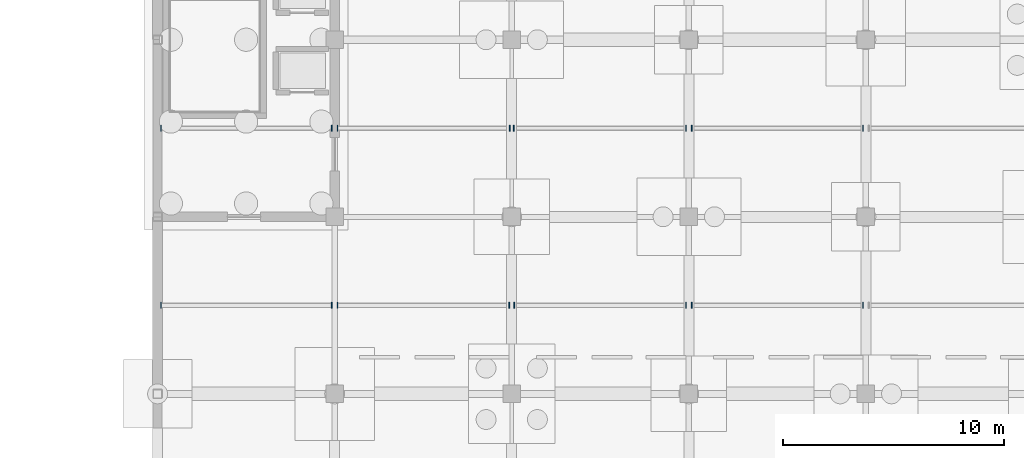
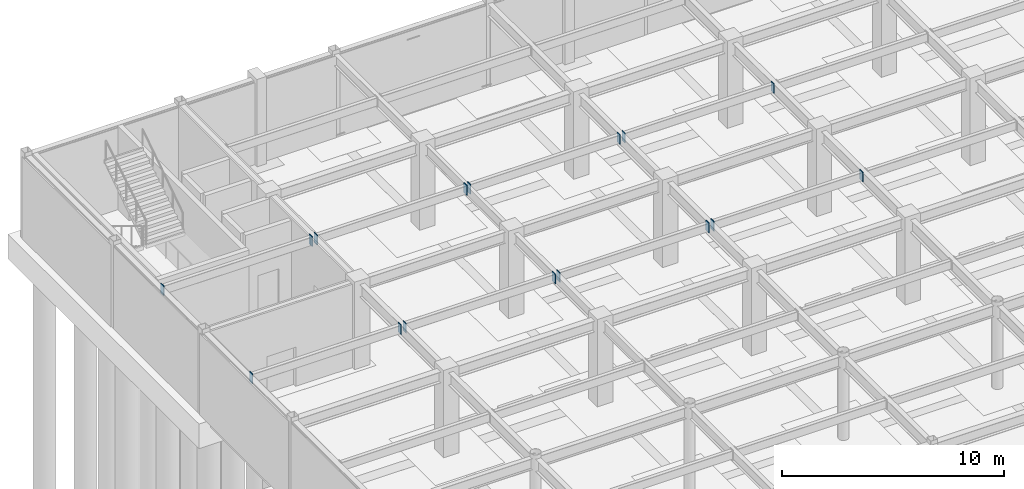
# One storey, part 78 of 105: 16 discrete accessories.
"""IFC4 building model written with IfcOpenShell, lengths in metres."""

import ifcopenshell
import ifcopenshell.guid

model = None  # the IFC model being written
_history = None  # IfcOwnerHistory: only IFC2X3 demands one
_inside = {}  # id of a spatial element -> (the spatial element, [elements in it])
_under = {}  # id of a project, library or spatial element -> (it, [spatial elements below it])
_declared = {}  # id of a project -> (the project, [libraries it declares])
_typed = {}  # id of a type object -> (the type object, [elements of that type])
_made_of = {}  # id of a material, layer set ... -> (it, [elements and type objects made of it])


def new_model(schema):
    """Start an empty IFC model of exactly this schema.

    Asked for "IFC4X3", IfcOpenShell would pick the latest addendum, in which some entities
    have other attributes; the version numbers below select the first issue.
    IFC2X3 requires an IfcOwnerHistory on every rooted entity: one is made here for all.
    """
    global model, _history
    if schema == "IFC4X3":
        model = ifcopenshell.file(schema_version=(4, 3, 0, 0))
    else:
        model = ifcopenshell.file(schema=schema)
    _inside.clear()
    _under.clear()
    _declared.clear()
    _typed.clear()
    _made_of.clear()
    _history = None
    if model.schema == "IFC2X3":
        org = make("IfcOrganization", Name="unknown")
        user = make(
            "IfcPersonAndOrganization",
            ThePerson=make("IfcPerson", FamilyName="unknown"),
            TheOrganization=org,
        )
        app = make(
            "IfcApplication",
            ApplicationDeveloper=org,
            Version="unknown",
            ApplicationFullName="unknown",
            ApplicationIdentifier="unknown",
        )
        _history = make(
            "IfcOwnerHistory",
            OwningUser=user,
            OwningApplication=app,
            ChangeAction="ADDED",
            CreationDate=0,
        )
    return model


def make(cls, **values):
    """One entity of the class cls with the attributes given. An attribute that is None is left unset."""
    return model.create_entity(
        cls, **{name: value for name, value in values.items() if value is not None}
    )


def rooted(cls, **values):
    """An entity with a GlobalId (a new one), such as an element, a storey or a relation."""
    return make(cls, GlobalId=ifcopenshell.guid.new(), OwnerHistory=_history, **values)


def si_unit(unit_type, name, prefix=None):
    """IfcSIUnit, for example si_unit("LENGTHUNIT", "METRE", prefix="MILLI")."""
    return make("IfcSIUnit", UnitType=unit_type, Prefix=prefix, Name=name)


def assignment(units):
    """IfcUnitAssignment: the units of a project."""
    return None if units is None else make("IfcUnitAssignment", Units=units)


def point(xyz):
    """IfcCartesianPoint."""
    return None if xyz is None else make("IfcCartesianPoint", Coordinates=xyz)


def direction(xyz):
    """IfcDirection."""
    return None if xyz is None else make("IfcDirection", DirectionRatios=xyz)


def frame(location, z_axis=None, x_axis=None):
    """IfcAxis2Placement3D, a coordinate frame: its origin and axes. An axis left out is left unset."""
    return make(
        "IfcAxis2Placement3D",
        Location=point(location),
        Axis=direction(z_axis),
        RefDirection=direction(x_axis),
    )


def frame_2d(location, x_axis=None):
    """IfcAxis2Placement2D, a coordinate frame in the plane: its origin and x axis."""
    return make(
        "IfcAxis2Placement2D", Location=point(location), RefDirection=direction(x_axis)
    )


def origin():
    """The frame at (0, 0, 0) with its axes left unset."""
    return frame((0.0, 0.0, 0.0))


def origin_2d():
    """The frame at (0, 0) in the plane with its x axis left unset."""
    return frame_2d((0.0, 0.0))


def place(relative_to, where):
    """IfcLocalPlacement: puts the frame where relative to a parent placement (None: the world)."""
    return make(
        "IfcLocalPlacement", PlacementRelTo=relative_to, RelativePlacement=where
    )


def context(
    kind, dimensions, precision=None, world=None, true_north=None, identifier=None
):
    """IfcGeometricRepresentationContext, for example the 3D "Model" context."""
    return make(
        "IfcGeometricRepresentationContext",
        ContextIdentifier=identifier,
        ContextType=kind,
        CoordinateSpaceDimension=dimensions,
        Precision=precision,
        WorldCoordinateSystem=world,
        TrueNorth=true_north,
    )


def subcontext(parent, identifier, kind, view, scale=None):
    """IfcGeometricRepresentationSubContext, for example "Body" below "Model"."""
    return make(
        "IfcGeometricRepresentationSubContext",
        ContextIdentifier=identifier,
        ContextType=kind,
        ParentContext=parent,
        TargetScale=scale,
        TargetView=view,
    )


def project(units=None, contexts=None):
    """IfcProject with its units and contexts."""
    return rooted(
        "IfcProject",
        Name="project",
        RepresentationContexts=contexts,
        UnitsInContext=assignment(units),
    )


def spatial(cls, under=None, at=None, **own):
    """A site, building, storey or space (cls), placed at a placement, below another one or the project."""
    s = rooted(cls, ObjectPlacement=at, **own)
    if under is not None:
        _under.setdefault(under.id(), (under, []))[1].append(s)
    return s


def profile(cls, at=None, kind="AREA", **sizes):
    """A parametric profile (cls). Its sizes go by their IFC names, for example OverallWidth=200.0."""
    return make(cls, ProfileType=kind, Position=at, **sizes)


def rectangle(**sizes):
    """IfcRectangleProfileDef."""
    return profile("IfcRectangleProfileDef", **sizes)


def extrude(swept, where, along, depth):
    """IfcExtrudedAreaSolid: the profile swept, set in the frame where, extruded along a direction by depth."""
    return make(
        "IfcExtrudedAreaSolid",
        SweptArea=swept,
        Position=where,
        ExtrudedDirection=direction(along),
        Depth=depth,
    )


def shape(context_of_items, identifier, shape_type, items):
    """IfcShapeRepresentation: the items that make up one representation, for example the "Body"."""
    return make(
        "IfcShapeRepresentation",
        ContextOfItems=context_of_items,
        RepresentationIdentifier=identifier,
        RepresentationType=shape_type,
        Items=items,
    )


def material(Name=None, Category=None):
    """IfcMaterial."""
    return make("IfcMaterial", Name=Name, Category=Category)


def layer(
    of_material, thickness, ventilated=None, Name=None, Category=None, Priority=None
):
    """IfcMaterialLayer: one layer of a wall or slab, of a material (None: an air gap)."""
    return make(
        "IfcMaterialLayer",
        Material=of_material,
        LayerThickness=thickness,
        IsVentilated=ventilated,
        Name=Name,
        Category=Category,
        Priority=Priority,
    )


def layer_set(layers, Name=None):
    """IfcMaterialLayerSet."""
    return make("IfcMaterialLayerSet", MaterialLayers=layers, LayerSetName=Name)


def made_of(thing, what):
    """Note that an element or type object is made of a material, layer set ...; save() writes the relation."""
    if what is not None:
        _made_of.setdefault(what.id(), (what, []))[1].append(thing)
    return thing


def type_object(cls, material=None, **own):
    """A type object (cls), such as IfcWallType, which elements share."""
    return made_of(rooted(cls, **own), material)


def element(
    cls,
    number,
    at=None,
    inside=None,
    cuts=None,
    type_object=None,
    material=None,
    context=None,
    identifier="Body",
    shape_type=None,
    held_by="IfcProductDefinitionShape",
    body=None,
    shapes=None,
    **own,
):
    """One element of the class cls, such as IfcWall. Its Tag is "e" and its number.

    at: its placement. inside: the storey or other place that contains it. cuts: it is an
    opening in that element (IfcRelVoidsElement). A single representation is given by context,
    identifier, shape_type and body (its items); several are given by shapes. held_by: the class
    of the entity that holds the representations. save() writes the other relations.
    """
    e = rooted(cls, Tag="e%d" % number, ObjectPlacement=at, **own)
    if body is not None:
        shapes = [shape(context, identifier, shape_type, body)]
    if shapes is not None:
        e.Representation = make(held_by, Representations=shapes)
    if inside is not None:
        _inside.setdefault(inside.id(), (inside, []))[1].append(e)
    if cuts is not None:
        rooted(
            "IfcRelVoidsElement", RelatingBuildingElement=cuts, RelatedOpeningElement=e
        )
    if type_object is not None:
        _typed.setdefault(type_object.id(), (type_object, []))[1].append(e)
    return made_of(e, material)


def aggregate(whole, parts):
    """IfcRelAggregates: a whole, such as a stair, and the parts it consists of."""
    return rooted("IfcRelAggregates", RelatingObject=whole, RelatedObjects=parts)


def save(model, path):
    """Write the relations noted so far, then the file.

    IfcRelAggregates (storeys below a building ...), IfcRelContainedInSpatialStructure (elements
    in a storey), IfcRelDefinesByType, IfcRelAssociatesMaterial and IfcRelDeclares: one each for
    every whole, place, type object, material and project.
    """
    for whole, parts in _under.values():
        aggregate(whole, parts)
    for where, things in _inside.values():
        rooted(
            "IfcRelContainedInSpatialStructure",
            RelatedElements=things,
            RelatingStructure=where,
        )
    for kind, things in _typed.values():
        rooted("IfcRelDefinesByType", RelatedObjects=things, RelatingType=kind)
    for what, things in _made_of.values():
        rooted("IfcRelAssociatesMaterial", RelatedObjects=things, RelatingMaterial=what)
    for by, libraries in _declared.values():
        rooted("IfcRelDeclares", RelatingContext=by, RelatedDefinitions=libraries)
    model.write(path)


model = new_model("IFC4")

# Units and contexts
model_context = context("Model", 3, precision=1e-05, world=origin(), true_north=direction((0.0, 1.0)))
body_context = subcontext(model_context, "Body", "Model", "MODEL_VIEW")
ifc_project = project(units=[si_unit("LENGTHUNIT", "METRE"), si_unit("AREAUNIT", "SQUARE_METRE"), si_unit("VOLUMEUNIT", "CUBIC_METRE"), si_unit("PLANEANGLEUNIT", "RADIAN"), si_unit("MASSUNIT", "GRAM", prefix="KILO")], contexts=[model_context])

# Site, building, storey
site_placement = place(None, origin())
site = spatial("IfcSite", under=ifc_project, at=site_placement, CompositionType="ELEMENT")
building_placement = place(site_placement, origin())
building = spatial("IfcBuilding", under=site, at=building_placement, Name="Solmirada Galleria", CompositionType="ELEMENT")
storey_placement = place(building_placement, frame((0.0, 0.0, -4.800048828125)))
storey = spatial("IfcBuildingStorey", under=building, at=storey_placement, Name="B1", CompositionType="ELEMENT", Elevation=-4.800048828125)

# Discrete accessories
ifc_material = material(Name="Steel S355 / ASTM A572 Grade 50", Category="steel")
ifc_layer = layer(ifc_material, 0.031982421875)
ifc_layer_set = layer_set([ifc_layer], Name="Steel S355 / ASTM A572 Grade 50")
discrete_accessory_type = type_object("IfcDiscreteAccessoryType", Name="ACC-COL-CAP", PredefinedType="BRACKET", material=ifc_layer_set)
for number, where, z_axis, x_axis, name in (
    (1, (40.152587890625, 100.0, 4.08154296875), (0.0, 0.0, 1.0), (1.0, 0.0, 0.0), "Hollow joist end plate L00-06-13-L"),
    (2, (47.8720703125, 100.0, 4.08154296875), (0.0, 0.0, 1.0), (1.0, 0.0, 0.0), "Hollow joist end plate L00-06-13-R"),
    (3, (40.152587890625, 108.0, 4.08154296875), (0.0, 0.0, 1.0), (1.0, 0.0, 0.0), "Hollow joist end plate L00-06-14-L"),
    (4, (47.8720703125, 108.0, 4.08154296875), (0.0, 0.0, 1.0), (1.0, 0.0, 0.0), "Hollow joist end plate L00-06-14-R"),
    (5, (48.1279296875, 100.0, 4.08154296875), (0.0, 0.0, 1.0), (1.0, 0.0, 0.0), "Hollow joist end plate L00-07-13-L"),
    (6, (55.885986328125, 100.0, 4.08154296875), (0.0, 0.0, 1.0), (1.0, 0.0, 0.0), "Hollow joist end plate L00-07-13-R"),
    (7, (48.1279296875, 108.0, 4.08154296875), (0.0, 0.0, 1.0), (1.0, 0.0, 0.0), "Hollow joist end plate L00-07-14-L"),
    (8, (55.910888671875, 108.0, 4.08154296875), (0.0, 0.0, 1.0), (1.0, 0.0, 0.0), "Hollow joist end plate L00-07-14-R"),
    (9, (56.114013671875, 100.0, 4.08154296875), (0.0, 0.0, 1.0), (1.0, 0.0, 0.0), "Hollow joist end plate L00-08-13-L"),
    (10, (63.873046875, 100.0, 4.08154296875), (0.0, 0.0, 1.0), (1.0, 0.0, 0.0), "Hollow joist end plate L00-08-13-R"),
    (11, (56.089111328125, 108.0, 4.08154296875), (0.0, 0.0, 1.0), (1.0, 0.0, 0.0), "Hollow joist end plate L00-08-14-L"),
    (12, (63.873046875, 108.0, 4.08154296875), (0.0, 0.0, 1.0), (1.0, 0.0, 0.0), "Hollow joist end plate L00-08-14-R"),
    (13, (64.126953125, 100.0, 4.08154296875), (0.0, 0.0, 1.0), (1.0, 0.0, 0.0), "Hollow joist end plate L00-09-13-L"),
    (14, (71.8720703125, 100.0, 4.08154296875), (0.0, 0.0, 1.0), (1.0, 0.0, 0.0), "Hollow joist end plate L00-09-13-R"),
    (15, (64.126953125, 108.0, 4.08154296875), (0.0, 0.0, 1.0), (1.0, 0.0, 0.0), "Hollow joist end plate L00-09-14-L"),
    (16, (71.8720703125, 108.0, 4.08154296875), (0.0, 0.0, 1.0), (1.0, 0.0, 0.0), "Hollow joist end plate L00-09-14-R"),
):
    element("IfcDiscreteAccessory", number, at=place(storey_placement, frame(where, z_axis=z_axis, x_axis=x_axis)), inside=storey, type_object=discrete_accessory_type, Name=name, PredefinedType="BRACKET", context=body_context, shape_type="SweptSolid", body=[
        extrude(rectangle(XDim=0.035888671875, YDim=0.280029296875, at=origin_2d()), origin(), (0.0, 0.0, 1.0), 0.5400390625),
    ])

save(model, "model.ifc")
